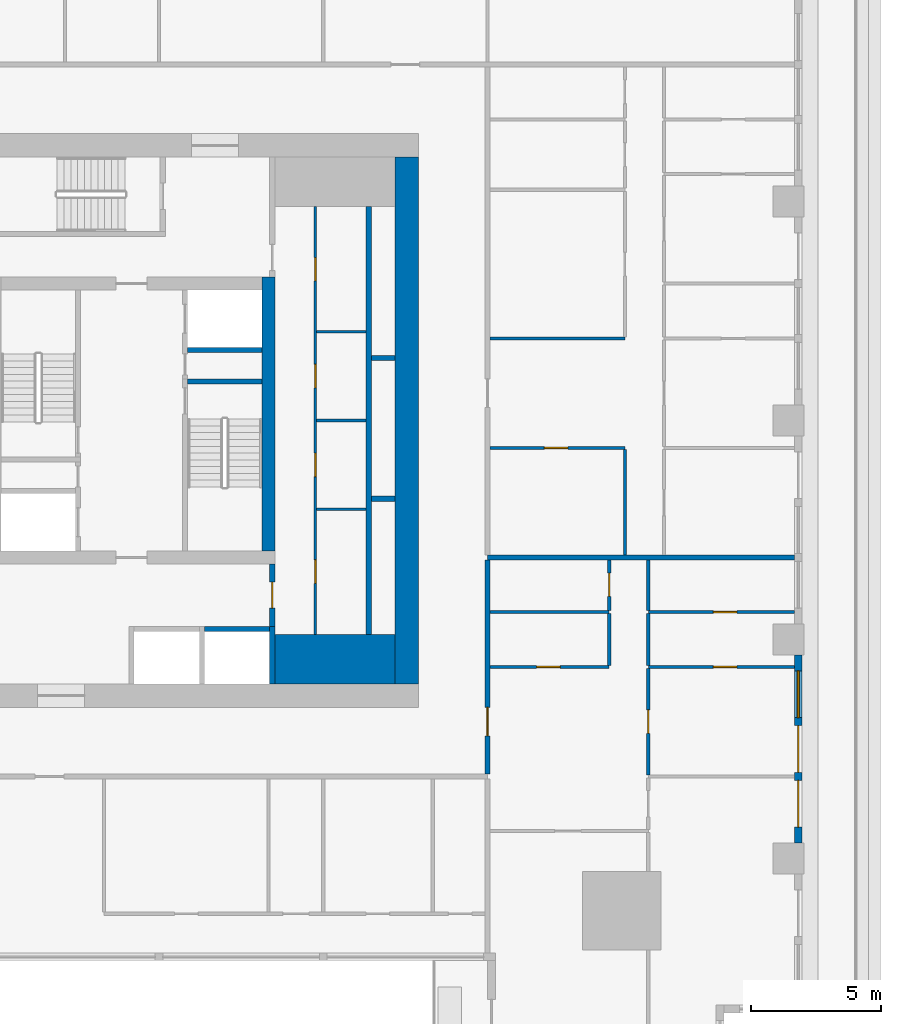
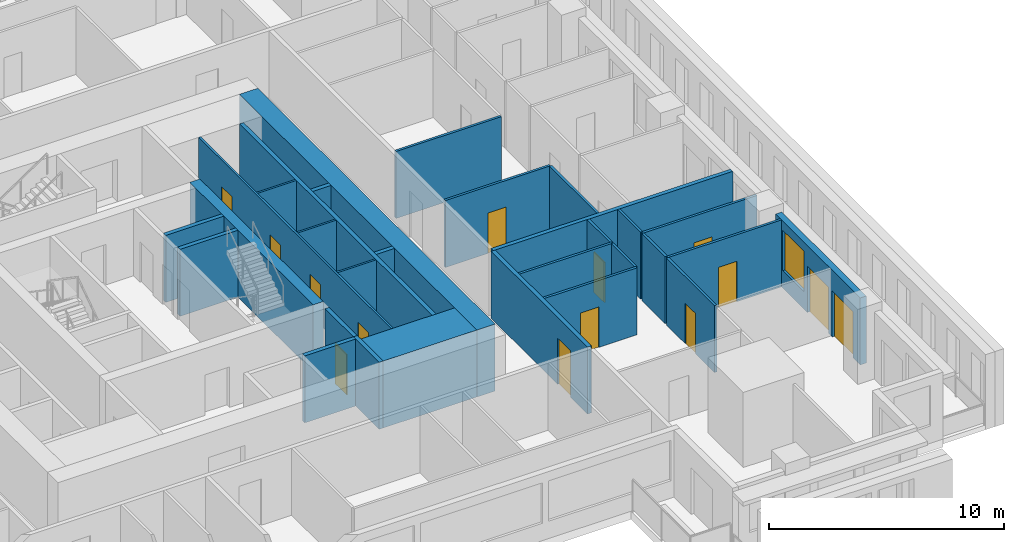
# One storey, part 5 of 14: 30 walls, 14 doors, 1 window, 15 openings.
"""IFC4 building model written with IfcOpenShell, lengths in metres."""

from ifc_helpers import new_model, si_unit, direction, frame, frame_2d, origin, place, context, subcontext, project, spatial, rectangle, extrude, material, layer, layer_set, type_object, element, fill, save


model = new_model("IFC4")

# Units and contexts
model_context = context("Model", 3, precision=1e-05, world=origin(), true_north=direction((0.0, 1.0)))
body_context = subcontext(model_context, "Body", "Model", "MODEL_VIEW")
ifc_project = project(units=[si_unit("LENGTHUNIT", "METRE"), si_unit("AREAUNIT", "SQUARE_METRE"), si_unit("VOLUMEUNIT", "CUBIC_METRE"), si_unit("PLANEANGLEUNIT", "RADIAN"), si_unit("MASSUNIT", "GRAM", prefix="KILO")], contexts=[model_context])

# Site, building, storey
site_placement = place(None, origin())
site = spatial("IfcSite", under=ifc_project, at=site_placement, CompositionType="ELEMENT")
building_placement = place(site_placement, origin())
building = spatial("IfcBuilding", under=site, at=building_placement, Name="Khepri Terraces", CompositionType="ELEMENT")
storey_placement = place(building_placement, frame((0.0, 0.0, 66.0)))
storey = spatial("IfcBuildingStorey", under=building, at=storey_placement, Name="L15", CompositionType="ELEMENT", Elevation=66.0)

# Walls
ifc_material_1 = material(Name="Concrete C80/95", Category="concrete")
ifc_layer_1 = layer(ifc_material_1, 1.89990234375, Name="Concrete C80/95", Category="concrete")
ifc_layer_set_1 = layer_set([ifc_layer_1], Name="Concrete C80/95")
wall_type_1 = type_object("IfcWallType", Name="Core wall 1900 C80/95", PredefinedType="SHEAR", material=ifc_layer_set_1)
wall_1_placement = place(storey_placement, frame((5.5, -9.14990234375, 0.0), z_axis=(0.0, 0.0, 1.0), x_axis=(1.0, 0.0, 0.0)))
element("IfcWall", 1, at=wall_1_placement, inside=storey, type_object=wall_type_1, Name="Core wall PR02 L15", PredefinedType="SHEAR", context=body_context, shape_type="SweptSolid", body=[
    extrude(rectangle(XDim=4.60009765625, YDim=1.89990234375, at=frame_2d((2.300048828125, 0.0))), origin(), (0.0, 0.0, 1.0), 3.47998046875),
])
ifc_layer_2 = layer(ifc_material_1, 0.199951171875, Name="Concrete C80/95", Category="concrete")
ifc_layer_set_2 = layer_set([ifc_layer_2], Name="Concrete C80/95")
wall_type_2 = type_object("IfcWallType", Name="Core wall 200 C80/95", PredefinedType="SHEAR", material=ifc_layer_set_2)
wall_2_placement = place(storey_placement, frame((2.14990234375, 1.5, 0.0), z_axis=(0.0, 0.0, 1.0), x_axis=(1.0, 0.0, 0.0)))
element("IfcWall", 2, at=wall_2_placement, inside=storey, type_object=wall_type_2, Name="Core wall ST04 L15", PredefinedType="SHEAR", context=body_context, shape_type="SweptSolid", body=[
    extrude(rectangle(XDim=2.85009765625, YDim=0.199951171875, at=frame_2d((1.425048828125, 0.0))), origin(), (0.0, 0.0, 1.0), 3.47998046875),
])
wall_3_placement = place(storey_placement, frame((5.39990234375, -10.10009765625, 0.0), z_axis=(0.0, 0.0, 1.0), x_axis=(0.0, 1.0, 0.0)))
element("IfcWall", 3, at=wall_3_placement, inside=storey, type_object=wall_type_2, Name="Core wall SH03 L15", PredefinedType="SHEAR", context=body_context, shape_type="SweptSolid", body=[
    extrude(rectangle(XDim=2.2001953125, YDim=0.199951171875, at=frame_2d((1.10009765625, 0.0))), origin(), (0.0, 0.0, 1.0), 3.47998046875),
])
wall_4_placement = place(storey_placement, frame((9.10009765625, -8.199951171875, 0.0), z_axis=(0.0, 0.0, 1.0), x_axis=(0.0, 1.0, 0.0)))
element("IfcWall", 4, at=wall_4_placement, inside=storey, type_object=wall_type_2, Name="Core wall SH05 L15", PredefinedType="SHEAR", context=body_context, shape_type="SweptSolid", body=[
    extrude(rectangle(XDim=16.39990234375, YDim=0.199951171875, at=frame_2d((8.199951171875, 0.0))), origin(), (0.0, 0.0, 1.0), 3.47998046875),
])
wall_5_placement = place(storey_placement, frame((2.800048828125, -8.0, 0.0), z_axis=(0.0, 0.0, 1.0), x_axis=(1.0, 0.0, 0.0)))
element("IfcWall", 5, at=wall_5_placement, inside=storey, type_object=wall_type_2, Name="Core wall SH07 L15", PredefinedType="SHEAR", context=body_context, shape_type="SweptSolid", body=[
    extrude(rectangle(XDim=2.5, YDim=0.199951171875, at=frame_2d((1.25, 0.0))), origin(), (0.0, 0.0, 1.0), 3.47998046875),
])
for number, where, z_axis, x_axis, name in (
    (6, (9.199951171875, -3.0, 0.0), (0.0, 0.0, 1.0), (1.0, 0.0, 0.0), "Core wall SH11 L15"),
    (7, (9.199951171875, 2.39990234375, 0.0), (0.0, 0.0, 1.0), (1.0, 0.0, 0.0), "Core wall SH16 L15"),
):
    element("IfcWall", number, at=place(storey_placement, frame(where, z_axis=z_axis, x_axis=x_axis)), inside=storey, type_object=wall_type_2, Name=name, PredefinedType="SHEAR", context=body_context, shape_type="SweptSolid", body=[
        extrude(rectangle(XDim=0.900146484375, YDim=0.199951171875, at=frame_2d((0.4501953125, 0.0))), origin(), (0.0, 0.0, 1.0), 3.47998046875),
    ])
wall_6_placement = place(storey_placement, frame((2.14990234375, 2.699951171875, 0.0), z_axis=(0.0, 0.0, 1.0), x_axis=(1.0, 0.0, 0.0)))
element("IfcWall", 8, at=wall_6_placement, inside=storey, type_object=wall_type_2, Name="Core wall SH18 L15", PredefinedType="SHEAR", context=body_context, shape_type="SweptSolid", body=[
    extrude(rectangle(XDim=2.85009765625, YDim=0.199951171875, at=frame_2d((1.425048828125, 0.0))), origin(), (0.0, 0.0, 1.0), 3.47998046875),
])
ifc_layer_3 = layer(ifc_material_1, 0.5, Name="Concrete C80/95", Category="concrete")
ifc_layer_set_3 = layer_set([ifc_layer_3], Name="Concrete C80/95")
wall_type_3 = type_object("IfcWallType", Name="Core wall 500 C80/95", PredefinedType="SHEAR", material=ifc_layer_set_3)
wall_7_placement = place(storey_placement, frame((5.25, -5.0, 0.0), z_axis=(0.0, 0.0, 1.0), x_axis=(0.0, 1.0, 0.0)))
element("IfcWall", 9, at=wall_7_placement, inside=storey, type_object=wall_type_3, Name="Core wall BX03 L15", PredefinedType="SHEAR", context=body_context, shape_type="SweptSolid", body=[
    extrude(rectangle(XDim=10.5, YDim=0.5, at=frame_2d((5.25, 0.0))), origin(), (0.0, 0.0, 1.0), 3.47998046875),
])
ifc_layer_4 = layer(ifc_material_1, 0.89990234375, Name="Concrete C80/95", Category="concrete")
ifc_layer_set_4 = layer_set([ifc_layer_4], Name="Concrete C80/95")
wall_type_4 = type_object("IfcWallType", Name="Core wall 900 C80/95", PredefinedType="SHEAR", material=ifc_layer_set_4)
wall_8_placement = place(storey_placement, frame((10.550048828125, -10.10009765625, 0.0), z_axis=(0.0, 0.0, 1.0), x_axis=(0.0, 1.0, 0.0)))
element("IfcWall", 10, at=wall_8_placement, inside=storey, type_object=wall_type_4, Name="Core wall OW-E L15", PredefinedType="SHEAR", context=body_context, shape_type="SweptSolid", body=[
    extrude(rectangle(XDim=20.2001953125, YDim=0.89990234375, at=frame_2d((10.10009765625, 0.0))), origin(), (0.0, 0.0, 1.0), 3.47998046875),
])

# Wall, openings, doors
ifc_material_2 = material(Name="Fire-rated gypsum board partition")
ifc_layer_5 = layer(ifc_material_2, 0.10009765625, Name="Fire-rated gypsum board partition")
ifc_layer_set_5 = layer_set([ifc_layer_5], Name="Fire-rated gypsum board partition")
wall_type_5 = type_object("IfcWallType", Name="WL-CORE-PART-100", PredefinedType="PARTITIONING", material=ifc_layer_set_5)
wall_9_placement = place(storey_placement, frame((7.050048828125, -8.199951171875, 0.0), z_axis=(0.0, 0.0, 1.0), x_axis=(0.0, 1.0, 0.0)))
wall_9 = element("IfcWall", 11, at=wall_9_placement, inside=storey, type_object=wall_type_5, Name="Core partition PT02 L15", PredefinedType="PARTITIONING", context=body_context, shape_type="SweptSolid", body=[
    extrude(rectangle(XDim=16.39990234375, YDim=0.10009765625, at=frame_2d((8.199951171875, 0.0))), origin(), (0.0, 0.0, 1.0), 3.47998046875),
])
opening_1_placement = place(wall_9_placement, frame((1.949951171875, 0.0, 0.0)))
opening_1 = element("IfcOpeningElement", 12, at=opening_1_placement, cuts=wall_9, Name="Opening L15-C22", PredefinedType="OPENING", context=body_context, shape_type="SweptSolid", body=[
    extrude(rectangle(XDim=0.89990234375, YDim=2.10009765625, at=frame_2d((0.449951171875, 1.050048828125))), frame((0.0, 0.06005859375, 0.0), z_axis=(0.0, -1.0, 0.0), x_axis=(1.0, 0.0, 0.0)), (0.0, 0.0, 1.0), 0.1201171875),
])
opening_2_placement = place(wall_9_placement, frame((6.050048828125, 0.0, 0.0)))
opening_2 = element("IfcOpeningElement", 13, at=opening_2_placement, cuts=wall_9, Name="Opening L15-C23", PredefinedType="OPENING", context=body_context, shape_type="SweptSolid", body=[
    extrude(rectangle(XDim=0.89990234375, YDim=2.10009765625, at=frame_2d((0.449951171875, 1.050048828125))), frame((0.0, 0.06005859375, 0.0), z_axis=(0.0, -1.0, 0.0), x_axis=(1.0, 0.0, 0.0)), (0.0, 0.0, 1.0), 0.1201171875),
])
opening_3_placement = place(wall_9_placement, frame((9.449951171875, 0.0, 0.0)))
opening_3 = element("IfcOpeningElement", 14, at=opening_3_placement, cuts=wall_9, Name="Opening L15-C24", PredefinedType="OPENING", context=body_context, shape_type="SweptSolid", body=[
    extrude(rectangle(XDim=0.89990234375, YDim=2.10009765625, at=frame_2d((0.449951171875, 1.050048828125))), frame((0.0, 0.06005859375, 0.0), z_axis=(0.0, -1.0, 0.0), x_axis=(1.0, 0.0, 0.0)), (0.0, 0.0, 1.0), 0.1201171875),
])
opening_4_placement = place(wall_9_placement, frame((13.550048828125, 0.0, 0.0)))
opening_4 = element("IfcOpeningElement", 15, at=opening_4_placement, cuts=wall_9, Name="Opening L15-C25", PredefinedType="OPENING", context=body_context, shape_type="SweptSolid", body=[
    extrude(rectangle(XDim=0.89990234375, YDim=2.10009765625, at=frame_2d((0.449951171875, 1.050048828125))), frame((0.0, 0.06005859375, 0.0), z_axis=(0.0, -1.0, 0.0), x_axis=(1.0, 0.0, 0.0)), (0.0, 0.0, 1.0), 0.1201171875),
])
ifc_material_3 = material(Name="Painted steel", Category="steel")
door_type_1 = type_object("IfcDoorType", Name="DR-CORE-SERVICE-900", OperationType="NOTDEFINED", PredefinedType="DOOR", material=ifc_material_3)
door_1_placement = place(opening_1_placement, frame((0.89990234375, 0.0, 0.0), z_axis=(0.0, 0.0, 1.0), x_axis=(-1.0, 0.0, 0.0)))
door_1 = element("IfcDoor", 16, at=door_1_placement, inside=storey, type_object=door_type_1, Name="Service room door L15-C22", OperationType="SINGLE_SWING_RIGHT", OverallHeight=2.10009765625, OverallWidth=0.89990234375, PredefinedType="DOOR", context=body_context, shape_type="SweptSolid", body=[
    extrude(rectangle(XDim=0.89990234375, YDim=2.10009765625, at=frame_2d((0.449951171875, 1.050048828125))), frame((0.0, 0.02490234375, 0.0), z_axis=(0.0, -1.0, 0.0), x_axis=(1.0, 0.0, 0.0)), (0.0, 0.0, 1.0), 0.050048828125),
])
fill(opening_1, door_1)
door_2_placement = place(opening_2_placement, frame((0.89990234375, 0.0, 0.0), z_axis=(0.0, 0.0, 1.0), x_axis=(-1.0, 0.0, 0.0)))
door_2 = element("IfcDoor", 17, at=door_2_placement, inside=storey, type_object=door_type_1, Name="Service room door L15-C23", OperationType="SINGLE_SWING_RIGHT", OverallHeight=2.10009765625, OverallWidth=0.89990234375, PredefinedType="DOOR", context=body_context, shape_type="SweptSolid", body=[
    extrude(rectangle(XDim=0.89990234375, YDim=2.10009765625, at=frame_2d((0.449951171875, 1.050048828125))), frame((0.0, 0.02490234375, 0.0), z_axis=(0.0, -1.0, 0.0), x_axis=(1.0, 0.0, 0.0)), (0.0, 0.0, 1.0), 0.050048828125),
])
fill(opening_2, door_2)
door_3_placement = place(opening_3_placement, frame((0.89990234375, 0.0, 0.0), z_axis=(0.0, 0.0, 1.0), x_axis=(-1.0, 0.0, 0.0)))
door_3 = element("IfcDoor", 18, at=door_3_placement, inside=storey, type_object=door_type_1, Name="Service room door L15-C24", OperationType="SINGLE_SWING_LEFT", OverallHeight=2.10009765625, OverallWidth=0.89990234375, PredefinedType="DOOR", context=body_context, shape_type="SweptSolid", body=[
    extrude(rectangle(XDim=0.89990234375, YDim=2.10009765625, at=frame_2d((0.449951171875, 1.050048828125))), frame((0.0, 0.02490234375, 0.0), z_axis=(0.0, -1.0, 0.0), x_axis=(1.0, 0.0, 0.0)), (0.0, 0.0, 1.0), 0.050048828125),
])
fill(opening_3, door_3)
door_4_placement = place(opening_4_placement, frame((0.89990234375, 0.0, 0.0), z_axis=(0.0, 0.0, 1.0), x_axis=(-1.0, 0.0, 0.0)))
door_4 = element("IfcDoor", 19, at=door_4_placement, inside=storey, type_object=door_type_1, Name="Service room door L15-C25", OperationType="SINGLE_SWING_LEFT", OverallHeight=2.10009765625, OverallWidth=0.89990234375, PredefinedType="DOOR", context=body_context, shape_type="SweptSolid", body=[
    extrude(rectangle(XDim=0.89990234375, YDim=2.10009765625, at=frame_2d((0.449951171875, 1.050048828125))), frame((0.0, 0.02490234375, 0.0), z_axis=(0.0, -1.0, 0.0), x_axis=(1.0, 0.0, 0.0)), (0.0, 0.0, 1.0), 0.050048828125),
])
fill(opening_4, door_4)

# Walls
for number, where, z_axis, x_axis, name in (
    (20, (7.10009765625, -3.39990234375, 0.0), (0.0, 0.0, 1.0), (1.0, 0.0, 0.0), "Core partition PT04 L15"),
    (21, (7.10009765625, 0.0, 0.0), (0.0, 0.0, 1.0), (1.0, 0.0, 0.0), "Core partition PT05 L15"),
    (22, (7.10009765625, 3.39990234375, 0.0), (0.0, 0.0, 1.0), (1.0, 0.0, 0.0), "Core partition PT06 L15"),
):
    element("IfcWall", number, at=place(storey_placement, frame(where, z_axis=z_axis, x_axis=x_axis)), inside=storey, type_object=wall_type_5, Name=name, PredefinedType="PARTITIONING", context=body_context, shape_type="SweptSolid", body=[
        extrude(rectangle(XDim=1.89990234375, YDim=0.10009765625, at=frame_2d((0.949951171875, 0.0))), origin(), (0.0, 0.0, 1.0), 3.47998046875),
    ])

# Wall, opening, door
ifc_layer_6 = layer(ifc_material_2, 0.199951171875, Name="Fire-rated gypsum board partition")
ifc_layer_set_6 = layer_set([ifc_layer_6], Name="Fire-rated gypsum board partition")
wall_type_6 = type_object("IfcWallType", Name="WL-CORE-PART-200", PredefinedType="PARTITIONING", material=ifc_layer_set_6)
wall_10_placement = place(storey_placement, frame((5.39990234375, -7.89990234375, 0.0), z_axis=(0.0, 0.0, 1.0), x_axis=(0.0, 1.0, 0.0)))
wall_10 = element("IfcWall", 23, at=wall_10_placement, inside=storey, type_object=wall_type_6, Name="Core partition PT03 L15", PredefinedType="PARTITIONING", context=body_context, shape_type="SweptSolid", body=[
    extrude(rectangle(XDim=2.39990234375, YDim=0.199951171875, at=frame_2d((1.199951171875, 0.0))), origin(), (0.0, 0.0, 1.0), 3.47998046875),
])
opening_5_placement = place(wall_10_placement, frame((0.699951171875, 0.0, 0.0)))
opening_5 = element("IfcOpeningElement", 24, at=opening_5_placement, cuts=wall_10, Name="Opening L15-C19", PredefinedType="OPENING", context=body_context, shape_type="SweptSolid", body=[
    extrude(rectangle(XDim=1.0, YDim=2.10009765625, at=frame_2d((0.5, 1.050048828125))), frame((0.0, 0.10986328125, 0.0), z_axis=(0.0, -1.0, 0.0), x_axis=(1.0, 0.0, 0.0)), (0.0, 0.0, 1.0), 0.219970703125),
])
door_type_2 = type_object("IfcDoorType", Name="DR-CORE-LOBBY-1000", OperationType="NOTDEFINED", PredefinedType="DOOR", material=ifc_material_3)
door_5_placement = place(opening_5_placement, origin())
door_5 = element("IfcDoor", 25, at=door_5_placement, inside=storey, type_object=door_type_2, Name="Lobby door L15-C19", OperationType="SINGLE_SWING_RIGHT", OverallHeight=2.10009765625, OverallWidth=1.0, PredefinedType="DOOR", context=body_context, shape_type="SweptSolid", body=[
    extrude(rectangle(XDim=1.0, YDim=2.10009765625, at=frame_2d((0.5, 1.050048828125))), frame((0.0, 0.02490234375, 0.0), z_axis=(0.0, -1.0, 0.0), x_axis=(1.0, 0.0, 0.0)), (0.0, 0.0, 1.0), 0.050048828125),
])
fill(opening_5, door_5)

ifc_material_4 = material(Name="Fire-rated gypsum plasterboard partition, mineral wool")
ifc_layer_7 = layer(ifc_material_4, 0.199951171875, Name="Fire-rated gypsum plasterboard partition, mineral wool")
ifc_layer_set_7 = layer_set([ifc_layer_7], Name="Fire-rated gypsum plasterboard partition, mineral wool")
wall_type_7 = type_object("IfcWallType", Name="WL-CORR-200", PredefinedType="PARTITIONING", material=ifc_layer_set_7)
wall_11_placement = place(storey_placement, frame((13.64990234375, -13.550048828125, 0.0), z_axis=(0.0, 0.0, 1.0), x_axis=(0.0, 1.0, 0.0)))
wall_11 = element("IfcWall", 26, at=wall_11_placement, inside=storey, type_object=wall_type_7, Name="Partition P-024 L15", PredefinedType="PARTITIONING", context=body_context, shape_type="SweptSolid", body=[
    extrude(rectangle(XDim=8.199951171875, YDim=0.199951171875, at=frame_2d((4.10009765625, 0.0))), origin(), (0.0, 0.0, 1.0), 3.47998046875),
])
opening_6_placement = place(wall_11_placement, frame((1.449951171875, 0.0, 0.0)))
opening_6 = element("IfcOpeningElement", 27, at=opening_6_placement, cuts=wall_11, Name="Opening D1", PredefinedType="OPENING", context=body_context, shape_type="SweptSolid", body=[
    extrude(rectangle(XDim=1.10009765625, YDim=2.39990234375, at=frame_2d((0.550048828125, 1.199951171875))), frame((0.0, 0.10986328125, 0.0), z_axis=(0.0, -1.0, 0.0), x_axis=(1.0, 0.0, 0.0)), (0.0, 0.0, 1.0), 0.219970703125),
])
ifc_material_5 = material(Name="Solid-core timber door leaf, flat entrance door", Category="wood")
door_type_3 = type_object("IfcDoorType", Name="DR-ENT-1100", OperationType="NOTDEFINED", PredefinedType="DOOR", material=ifc_material_5)
door_6_placement = place(opening_6_placement, frame((1.10009765625, 0.0, 0.0), z_axis=(0.0, 0.0, 1.0), x_axis=(-1.0, 0.0, 0.0)))
door_6 = element("IfcDoor", 28, at=door_6_placement, inside=storey, type_object=door_type_3, Name="Flat B1 entrance door", OperationType="SINGLE_SWING_RIGHT", OverallHeight=2.39990234375, OverallWidth=1.10009765625, PredefinedType="DOOR", context=body_context, shape_type="SweptSolid", body=[
    extrude(rectangle(XDim=1.10009765625, YDim=2.39990234375, at=frame_2d((0.550048828125, 1.199951171875))), frame((0.0, 0.02490234375, 0.0), z_axis=(0.0, -1.0, 0.0), x_axis=(1.0, 0.0, 0.0)), (0.0, 0.0, 1.0), 0.050048828125),
])
fill(opening_6, door_6)

# Wall
wall_12_placement = place(storey_placement, frame((13.64990234375, -5.25, 0.0), z_axis=(0.0, 0.0, 1.0), x_axis=(1.0, 0.0, 0.0)))
element("IfcWall", 29, at=wall_12_placement, inside=storey, type_object=wall_type_7, Name="Partition P-041 L15", PredefinedType="PARTITIONING", context=body_context, shape_type="SweptSolid", body=[
    extrude(rectangle(XDim=11.77001953125, YDim=0.199951171875, at=frame_2d((5.885009765625, 0.0))), origin(), (0.0, 0.0, 1.0), 3.47998046875),
])

# Wall, openings, doors, window
ifc_material_6 = material(Name="Precast concrete C50/60 warm stone", Category="masonry")
ifc_layer_8 = layer(ifc_material_6, 0.300048828125, Name="Precast concrete C50/60 warm stone", Category="masonry")
ifc_layer_set_8 = layer_set([ifc_layer_8], Name="Precast concrete C50/60 warm stone")
wall_type_8 = type_object("IfcWallType", Name="WL-EXT-PRECAST-300", PredefinedType="STANDARD", material=ifc_layer_set_8)
wall_13_placement = place(storey_placement, frame((25.570068359375, -16.199951171875, 0.0), z_axis=(0.0, 0.0, 1.0), x_axis=(0.0, 1.0, 0.0)))
wall_13 = element("IfcWall", 30, at=wall_13_placement, inside=storey, type_object=wall_type_8, Name="External wall L15 E", PredefinedType="STANDARD", context=body_context, shape_type="SweptSolid", body=[
    extrude(rectangle(XDim=7.199951171875, YDim=0.300048828125, at=frame_2d((3.60009765625, 0.0))), origin(), (0.0, 0.0, 1.0), 3.47998046875),
])
opening_7_placement = place(wall_13_placement, frame((0.60009765625, 0.0, 0.0)))
opening_7 = element("IfcOpeningElement", 31, at=opening_7_placement, cuts=wall_13, Name="Opening ED-L15-02", PredefinedType="OPENING", context=body_context, shape_type="SweptSolid", body=[
    extrude(rectangle(XDim=1.800048828125, YDim=2.39990234375, at=frame_2d((0.89990234375, 1.199951171875))), frame((0.0, 0.16015625, 0.0), z_axis=(0.0, -1.0, 0.0), x_axis=(1.0, 0.0, 0.0)), (0.0, 0.0, 1.0), 0.320068359375),
])
opening_8_placement = place(wall_13_placement, frame((2.699951171875, 0.0, 0.0)))
opening_8 = element("IfcOpeningElement", 32, at=opening_8_placement, cuts=wall_13, Name="Opening ED-L15-03", PredefinedType="OPENING", context=body_context, shape_type="SweptSolid", body=[
    extrude(rectangle(XDim=1.800048828125, YDim=2.39990234375, at=frame_2d((0.89990234375, 1.199951171875))), frame((0.0, 0.16015625, 0.0), z_axis=(0.0, -1.0, 0.0), x_axis=(1.0, 0.0, 0.0)), (0.0, 0.0, 1.0), 0.320068359375),
])
opening_9_placement = place(wall_13_placement, frame((4.800048828125, 0.0, 0.89990234375)))
opening_9 = element("IfcOpeningElement", 33, at=opening_9_placement, cuts=wall_13, Name="Opening W1", PredefinedType="OPENING", context=body_context, shape_type="SweptSolid", body=[
    extrude(rectangle(XDim=1.800048828125, YDim=2.10009765625, at=frame_2d((0.89990234375, 1.050048828125))), frame((0.0, 0.16015625, 0.0), z_axis=(0.0, -1.0, 0.0), x_axis=(1.0, 0.0, 0.0)), (0.0, 0.0, 1.0), 0.320068359375),
])
ifc_material_7 = material(Name="Anodised aluminium bronze glazed door", Category="aluminium")
door_type_4 = type_object("IfcDoorType", Name="DR-BAL-SLIDE-1800x2400", OperationType="NOTDEFINED", PredefinedType="DOOR", material=ifc_material_7)
door_7_placement = place(opening_7_placement, origin())
door_7 = element("IfcDoor", 34, at=door_7_placement, inside=storey, type_object=door_type_4, Name="Balcony door L15 E", OperationType="SLIDING_TO_LEFT", OverallHeight=2.39990234375, OverallWidth=1.800048828125, PredefinedType="DOOR", context=body_context, shape_type="SweptSolid", body=[
    extrude(rectangle(XDim=1.800048828125, YDim=2.39990234375, at=frame_2d((0.89990234375, 1.199951171875))), frame((0.0, 0.02490234375, 0.0), z_axis=(0.0, -1.0, 0.0), x_axis=(1.0, 0.0, 0.0)), (0.0, 0.0, 1.0), 0.050048828125),
])
fill(opening_7, door_7)
door_8_placement = place(opening_8_placement, origin())
door_8 = element("IfcDoor", 35, at=door_8_placement, inside=storey, type_object=door_type_4, Name="Balcony door L15 E", OperationType="SLIDING_TO_RIGHT", OverallHeight=2.39990234375, OverallWidth=1.800048828125, PredefinedType="DOOR", context=body_context, shape_type="SweptSolid", body=[
    extrude(rectangle(XDim=1.800048828125, YDim=2.39990234375, at=frame_2d((0.89990234375, 1.199951171875))), frame((0.0, 0.02490234375, 0.0), z_axis=(0.0, -1.0, 0.0), x_axis=(1.0, 0.0, 0.0)), (0.0, 0.0, 1.0), 0.050048828125),
])
fill(opening_8, door_8)
ifc_material_8 = material(Name="Clear glass", Category="glass")
window_type = type_object("IfcWindowType", Name="WIN-RES-1800x2100", PartitioningType="SINGLE_PANEL", PredefinedType="WINDOW", material=ifc_material_8)
window_placement = place(opening_9_placement, origin())
window = element("IfcWindow", 36, at=window_placement, inside=storey, type_object=window_type, Name="Window L15 E", OverallHeight=2.10009765625, OverallWidth=1.800048828125, PartitioningType="SINGLE_PANEL", PredefinedType="WINDOW", context=body_context, shape_type="SweptSolid", body=[
    extrude(rectangle(XDim=1.800048828125, YDim=2.10009765625, at=frame_2d((0.89990234375, 1.050048828125))), frame((0.0, 0.030029296875, 0.0), z_axis=(0.0, -1.0, 0.0), x_axis=(1.0, 0.0, 0.0)), (0.0, 0.0, 1.0), 0.06005859375),
])
fill(opening_9, window)

# Wall, opening, door
ifc_material_9 = material(Name="Gypsum plasterboard partition")
ifc_layer_9 = layer(ifc_material_9, 0.1201171875, Name="Gypsum plasterboard partition")
ifc_layer_set_9 = layer_set([ifc_layer_9], Name="Gypsum plasterboard partition")
wall_type_9 = type_object("IfcWallType", Name="WL-PART-120", PredefinedType="PARTITIONING", material=ifc_layer_set_9)
wall_14_placement = place(storey_placement, frame((19.820068359375, -13.590087890625, 0.0), z_axis=(0.0, 0.0, 1.0), x_axis=(0.0, 1.0, 0.0)))
wall_14 = element("IfcWall", 37, at=wall_14_placement, inside=storey, type_object=wall_type_9, Name="Partition P-020 L15", PredefinedType="PARTITIONING", context=body_context, shape_type="SweptSolid", body=[
    extrude(rectangle(XDim=4.080078125, YDim=0.1201171875, at=frame_2d((2.0400390625, 0.0))), origin(), (0.0, 0.0, 1.0), 3.47998046875),
])
opening_10_placement = place(wall_14_placement, frame((1.590087890625, 0.0, 0.0)))
opening_10 = element("IfcOpeningElement", 38, at=opening_10_placement, cuts=wall_14, Name="Opening D3", PredefinedType="OPENING", context=body_context, shape_type="SweptSolid", body=[
    extrude(rectangle(XDim=0.89990234375, YDim=2.10009765625, at=frame_2d((0.449951171875, 1.050048828125))), frame((0.0, 0.070068359375, 0.0), z_axis=(0.0, -1.0, 0.0), x_axis=(1.0, 0.0, 0.0)), (0.0, 0.0, 1.0), 0.14013671875),
])
ifc_material_10 = material(Name="Timber door leaf", Category="wood")
door_type_5 = type_object("IfcDoorType", Name="DR-INT-900", OperationType="NOTDEFINED", PredefinedType="DOOR", material=ifc_material_10)
door_9_placement = place(opening_10_placement, frame((0.89990234375, 0.0, 0.0), z_axis=(0.0, 0.0, 1.0), x_axis=(-1.0, 0.0, 0.0)))
door_9 = element("IfcDoor", 39, at=door_9_placement, inside=storey, type_object=door_type_5, Name="Door Master Bedroom", OperationType="SINGLE_SWING_RIGHT", OverallHeight=2.10009765625, OverallWidth=0.89990234375, PredefinedType="DOOR", context=body_context, shape_type="SweptSolid", body=[
    extrude(rectangle(XDim=0.89990234375, YDim=2.10009765625, at=frame_2d((0.449951171875, 1.050048828125))), frame((0.0, 0.02490234375, 0.0), z_axis=(0.0, -1.0, 0.0), x_axis=(1.0, 0.0, 0.0)), (0.0, 0.0, 1.0), 0.050048828125),
])
fill(opening_10, door_9)

wall_15_placement = place(storey_placement, frame((13.75, -9.449951171875, 0.0), z_axis=(0.0, 0.0, 1.0), x_axis=(1.0, 0.0, 0.0)))
wall_15 = element("IfcWall", 40, at=wall_15_placement, inside=storey, type_object=wall_type_9, Name="Partition P-030 L15", PredefinedType="PARTITIONING", context=body_context, shape_type="SweptSolid", body=[
    extrude(rectangle(XDim=4.570068359375, YDim=0.1201171875, at=frame_2d((2.28515625, 0.0))), origin(), (0.0, 0.0, 1.0), 3.47998046875),
])
opening_11_placement = place(wall_15_placement, frame((1.784912109375, 0.0, 0.0)))
opening_11 = element("IfcOpeningElement", 41, at=opening_11_placement, cuts=wall_15, Name="Opening D4", PredefinedType="OPENING", context=body_context, shape_type="SweptSolid", body=[
    extrude(rectangle(XDim=0.89990234375, YDim=2.10009765625, at=frame_2d((0.449951171875, 1.050048828125))), frame((0.0, 0.070068359375, 0.0), z_axis=(0.0, -1.0, 0.0), x_axis=(1.0, 0.0, 0.0)), (0.0, 0.0, 1.0), 0.14013671875),
])
ifc_material_11 = material(Name="Timber door leaf, moisture resistant", Category="wood")
door_type_6 = type_object("IfcDoorType", Name="DR-WET-900", OperationType="NOTDEFINED", PredefinedType="DOOR", material=ifc_material_11)
door_10_placement = place(opening_11_placement, origin())
door_10 = element("IfcDoor", 42, at=door_10_placement, inside=storey, type_object=door_type_6, Name="Door Guest Bathroom", OperationType="SINGLE_SWING_LEFT", OverallHeight=2.10009765625, OverallWidth=0.89990234375, PredefinedType="DOOR", context=body_context, shape_type="SweptSolid", body=[
    extrude(rectangle(XDim=0.89990234375, YDim=2.10009765625, at=frame_2d((0.449951171875, 1.050048828125))), frame((0.0, 0.02490234375, 0.0), z_axis=(0.0, -1.0, 0.0), x_axis=(1.0, 0.0, 0.0)), (0.0, 0.0, 1.0), 0.050048828125),
])
fill(opening_11, door_10)

wall_16_placement = place(storey_placement, frame((19.820068359375, -9.449951171875, 0.0), z_axis=(0.0, 0.0, 1.0), x_axis=(1.0, 0.0, 0.0)))
wall_16 = element("IfcWall", 43, at=wall_16_placement, inside=storey, type_object=wall_type_9, Name="Partition P-031 L15", PredefinedType="PARTITIONING", context=body_context, shape_type="SweptSolid", body=[
    extrude(rectangle(XDim=5.599853515625, YDim=0.1201171875, at=frame_2d((2.7998046875, 0.0))), origin(), (0.0, 0.0, 1.0), 3.47998046875),
])
opening_12_placement = place(wall_16_placement, frame((2.5, 0.0, 0.0)))
opening_12 = element("IfcOpeningElement", 44, at=opening_12_placement, cuts=wall_16, Name="Opening D3", PredefinedType="OPENING", context=body_context, shape_type="SweptSolid", body=[
    extrude(rectangle(XDim=0.89990234375, YDim=2.10009765625, at=frame_2d((0.449951171875, 1.050048828125))), frame((0.0, 0.070068359375, 0.0), z_axis=(0.0, -1.0, 0.0), x_axis=(1.0, 0.0, 0.0)), (0.0, 0.0, 1.0), 0.14013671875),
])
door_11_placement = place(opening_12_placement, origin())
door_11 = element("IfcDoor", 45, at=door_11_placement, inside=storey, type_object=door_type_5, Name="Door Dressing Room", OperationType="SINGLE_SWING_RIGHT", OverallHeight=2.10009765625, OverallWidth=0.89990234375, PredefinedType="DOOR", context=body_context, shape_type="SweptSolid", body=[
    extrude(rectangle(XDim=0.89990234375, YDim=2.10009765625, at=frame_2d((0.449951171875, 1.050048828125))), frame((0.0, 0.02490234375, 0.0), z_axis=(0.0, -1.0, 0.0), x_axis=(1.0, 0.0, 0.0)), (0.0, 0.0, 1.0), 0.050048828125),
])
fill(opening_12, door_11)

# Walls
for number, where, z_axis, x_axis, name in (
    (46, (18.320068359375, -9.389892578125, 0.0), (0.0, 0.0, 1.0), (0.0, 1.0, 0.0), "Partition P-033 L15"),
    (47, (19.820068359375, -9.389892578125, 0.0), (0.0, 0.0, 1.0), (0.0, 1.0, 0.0), "Partition P-034 L15"),
):
    element("IfcWall", number, at=place(storey_placement, frame(where, z_axis=z_axis, x_axis=x_axis)), inside=storey, type_object=wall_type_9, Name=name, PredefinedType="PARTITIONING", context=body_context, shape_type="SweptSolid", body=[
        extrude(rectangle(XDim=1.97998046875, YDim=0.1201171875, at=frame_2d((0.989990234375, 0.0))), origin(), (0.0, 0.0, 1.0), 3.47998046875),
    ])
wall_17_placement = place(storey_placement, frame((13.75, -7.35009765625, 0.0), z_axis=(0.0, 0.0, 1.0), x_axis=(1.0, 0.0, 0.0)))
element("IfcWall", 48, at=wall_17_placement, inside=storey, type_object=wall_type_9, Name="Partition P-037 L15", PredefinedType="PARTITIONING", context=body_context, shape_type="SweptSolid", body=[
    extrude(rectangle(XDim=4.570068359375, YDim=0.1201171875, at=frame_2d((2.28515625, 0.0))), origin(), (0.0, 0.0, 1.0), 3.47998046875),
])

# Wall, opening, door
wall_18_placement = place(storey_placement, frame((19.820068359375, -7.35009765625, 0.0), z_axis=(0.0, 0.0, 1.0), x_axis=(1.0, 0.0, 0.0)))
wall_18 = element("IfcWall", 49, at=wall_18_placement, inside=storey, type_object=wall_type_9, Name="Partition P-038 L15", PredefinedType="PARTITIONING", context=body_context, shape_type="SweptSolid", body=[
    extrude(rectangle(XDim=5.599853515625, YDim=0.1201171875, at=frame_2d((2.7998046875, 0.0))), origin(), (0.0, 0.0, 1.0), 3.47998046875),
])
opening_13_placement = place(wall_18_placement, frame((2.5, 0.0, 0.0)))
opening_13 = element("IfcOpeningElement", 50, at=opening_13_placement, cuts=wall_18, Name="Opening D4", PredefinedType="OPENING", context=body_context, shape_type="SweptSolid", body=[
    extrude(rectangle(XDim=0.89990234375, YDim=2.10009765625, at=frame_2d((0.449951171875, 1.050048828125))), frame((0.0, 0.070068359375, 0.0), z_axis=(0.0, -1.0, 0.0), x_axis=(1.0, 0.0, 0.0)), (0.0, 0.0, 1.0), 0.14013671875),
])
door_12_placement = place(opening_13_placement, origin())
door_12 = element("IfcDoor", 51, at=door_12_placement, inside=storey, type_object=door_type_6, Name="Door Bathroom", OperationType="SINGLE_SWING_RIGHT", OverallHeight=2.10009765625, OverallWidth=0.89990234375, PredefinedType="DOOR", context=body_context, shape_type="SweptSolid", body=[
    extrude(rectangle(XDim=0.89990234375, YDim=2.10009765625, at=frame_2d((0.449951171875, 1.050048828125))), frame((0.0, 0.02490234375, 0.0), z_axis=(0.0, -1.0, 0.0), x_axis=(1.0, 0.0, 0.0)), (0.0, 0.0, 1.0), 0.050048828125),
])
fill(opening_13, door_12)

wall_19_placement = place(storey_placement, frame((18.320068359375, -7.2900390625, 0.0), z_axis=(0.0, 0.0, 1.0), x_axis=(0.0, 1.0, 0.0)))
wall_19 = element("IfcWall", 52, at=wall_19_placement, inside=storey, type_object=wall_type_9, Name="Partition P-039 L15", PredefinedType="PARTITIONING", context=body_context, shape_type="SweptSolid", body=[
    extrude(rectangle(XDim=1.93994140625, YDim=0.1201171875, at=frame_2d((0.969970703125, 0.0))), origin(), (0.0, 0.0, 1.0), 3.47998046875),
])
opening_14_placement = place(wall_19_placement, frame((0.5400390625, 0.0, 0.0)))
opening_14 = element("IfcOpeningElement", 53, at=opening_14_placement, cuts=wall_19, Name="Opening D3", PredefinedType="OPENING", context=body_context, shape_type="SweptSolid", body=[
    extrude(rectangle(XDim=0.89990234375, YDim=2.10009765625, at=frame_2d((0.449951171875, 1.050048828125))), frame((0.0, 0.070068359375, 0.0), z_axis=(0.0, -1.0, 0.0), x_axis=(1.0, 0.0, 0.0)), (0.0, 0.0, 1.0), 0.14013671875),
])
door_13_placement = place(opening_14_placement, origin())
door_13 = element("IfcDoor", 54, at=door_13_placement, inside=storey, type_object=door_type_5, Name="Door Kitchen", OperationType="SINGLE_SWING_RIGHT", OverallHeight=2.10009765625, OverallWidth=0.89990234375, PredefinedType="DOOR", context=body_context, shape_type="SweptSolid", body=[
    extrude(rectangle(XDim=0.89990234375, YDim=2.10009765625, at=frame_2d((0.449951171875, 1.050048828125))), frame((0.0, 0.02490234375, 0.0), z_axis=(0.0, -1.0, 0.0), x_axis=(1.0, 0.0, 0.0)), (0.0, 0.0, 1.0), 0.050048828125),
])
fill(opening_14, door_13)

# Walls
wall_20_placement = place(storey_placement, frame((19.820068359375, -7.2900390625, 0.0), z_axis=(0.0, 0.0, 1.0), x_axis=(0.0, 1.0, 0.0)))
element("IfcWall", 55, at=wall_20_placement, inside=storey, type_object=wall_type_9, Name="Partition P-040 L15", PredefinedType="PARTITIONING", context=body_context, shape_type="SweptSolid", body=[
    extrude(rectangle(XDim=1.93994140625, YDim=0.1201171875, at=frame_2d((0.969970703125, 0.0))), origin(), (0.0, 0.0, 1.0), 3.47998046875),
])
wall_21_placement = place(storey_placement, frame((18.919921875, -5.14990234375, 0.0), z_axis=(0.0, 0.0, 1.0), x_axis=(0.0, 1.0, 0.0)))
element("IfcWall", 56, at=wall_21_placement, inside=storey, type_object=wall_type_9, Name="Partition P-043 L15", PredefinedType="PARTITIONING", context=body_context, shape_type="SweptSolid", body=[
    extrude(rectangle(XDim=4.039794921875, YDim=0.1201171875, at=frame_2d((2.02001953125, 0.0))), origin(), (0.0, 0.0, 1.0), 3.47998046875),
])

# Wall, opening, door
wall_22_placement = place(storey_placement, frame((13.75, -1.050048828125, 0.0), z_axis=(0.0, 0.0, 1.0), x_axis=(1.0, 0.0, 0.0)))
wall_22 = element("IfcWall", 57, at=wall_22_placement, inside=storey, type_object=wall_type_9, Name="Partition P-048 L15", PredefinedType="PARTITIONING", context=body_context, shape_type="SweptSolid", body=[
    extrude(rectangle(XDim=5.169921875, YDim=0.1201171875, at=frame_2d((2.5849609375, 0.0))), origin(), (0.0, 0.0, 1.0), 3.47998046875),
])
opening_15_placement = place(wall_22_placement, frame((2.0849609375, 0.0, 0.0)))
opening_15 = element("IfcOpeningElement", 58, at=opening_15_placement, cuts=wall_22, Name="Opening D3", PredefinedType="OPENING", context=body_context, shape_type="SweptSolid", body=[
    extrude(rectangle(XDim=0.89990234375, YDim=2.10009765625, at=frame_2d((0.449951171875, 1.050048828125))), frame((0.0, 0.070068359375, 0.0), z_axis=(0.0, -1.0, 0.0), x_axis=(1.0, 0.0, 0.0)), (0.0, 0.0, 1.0), 0.14013671875),
])
door_14_placement = place(opening_15_placement, frame((0.89990234375, 0.0, 0.0), z_axis=(0.0, 0.0, 1.0), x_axis=(-1.0, 0.0, 0.0)))
door_14 = element("IfcDoor", 59, at=door_14_placement, inside=storey, type_object=door_type_5, Name="Door Staff Bedroom", OperationType="SINGLE_SWING_RIGHT", OverallHeight=2.10009765625, OverallWidth=0.89990234375, PredefinedType="DOOR", context=body_context, shape_type="SweptSolid", body=[
    extrude(rectangle(XDim=0.89990234375, YDim=2.10009765625, at=frame_2d((0.449951171875, 1.050048828125))), frame((0.0, 0.02490234375, 0.0), z_axis=(0.0, -1.0, 0.0), x_axis=(1.0, 0.0, 0.0)), (0.0, 0.0, 1.0), 0.050048828125),
])
fill(opening_15, door_14)

# Wall
wall_23_placement = place(storey_placement, frame((13.75, 3.14990234375, 0.0), z_axis=(0.0, 0.0, 1.0), x_axis=(1.0, 0.0, 0.0)))
element("IfcWall", 60, at=wall_23_placement, inside=storey, type_object=wall_type_9, Name="Partition P-053 L15", PredefinedType="PARTITIONING", context=body_context, shape_type="SweptSolid", body=[
    extrude(rectangle(XDim=5.169921875, YDim=0.1201171875, at=frame_2d((2.5849609375, 0.0))), origin(), (0.0, 0.0, 1.0), 3.47998046875),
])

save(model, "model.ifc")
